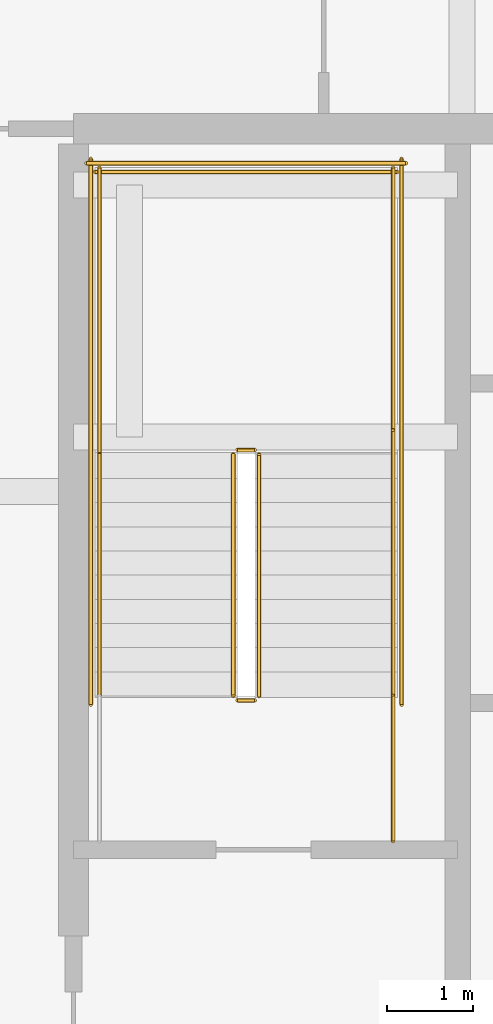
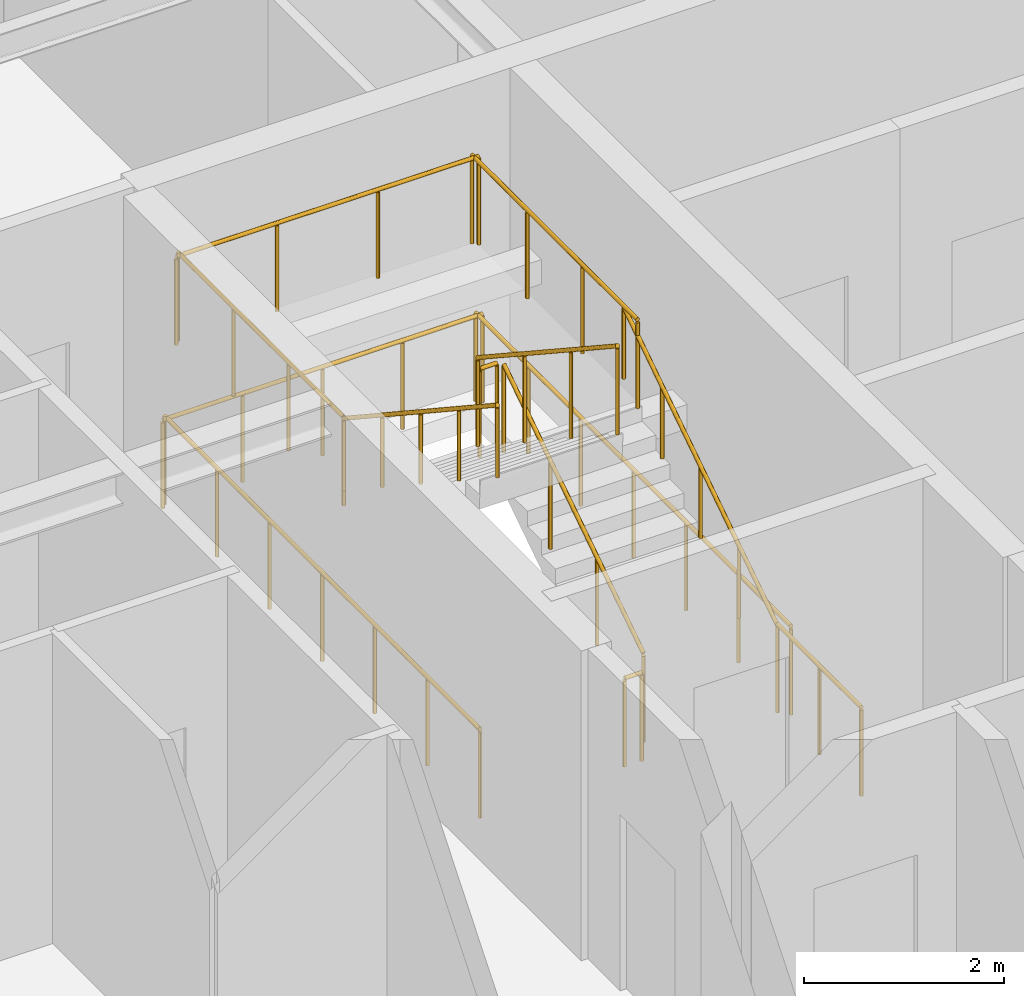
# One storey, part 34 of 37: 13 railings.
"""IFC4 building model written with IfcOpenShell, lengths in metres."""

from ifc_helpers import new_model, si_unit, direction, frame, origin, origin_2d, place, context, subcontext, project, spatial, circle, extrude, material, type_object, element, save


model = new_model("IFC4")

# Units and contexts
model_context = context("Model", 3, precision=1e-05, world=origin(), true_north=direction((0.0, 1.0)))
body_context = subcontext(model_context, "Body", "Model", "MODEL_VIEW")
ifc_project = project(units=[si_unit("LENGTHUNIT", "METRE"), si_unit("AREAUNIT", "SQUARE_METRE"), si_unit("VOLUMEUNIT", "CUBIC_METRE"), si_unit("PLANEANGLEUNIT", "RADIAN"), si_unit("MASSUNIT", "GRAM", prefix="KILO")], contexts=[model_context])

# Site, building, storey
site_placement = place(None, origin())
site = spatial("IfcSite", under=ifc_project, at=site_placement, CompositionType="ELEMENT")
building_placement = place(site_placement, origin())
building = spatial("IfcBuilding", under=site, at=building_placement, Name="Serunith Strait Residences", CompositionType="ELEMENT")
storey_placement = place(building_placement, frame((0.0, 0.0, 317.75)))
storey = spatial("IfcBuildingStorey", under=building, at=storey_placement, Name="L79", CompositionType="ELEMENT", Elevation=317.75)

# Railings
ifc_material = material(Name="Brushed stainless steel 316L", Category="steel")
railing_type_1 = type_object("IfcRailingType", Name="RLG-STAIR-GUARD", PredefinedType="BALUSTRADE", material=ifc_material)
railing_1_placement = place(storey_placement, frame((25.550048828125, 27.030029296875, 0.18408203125)))
element("IfcRailing", 1, at=railing_1_placement, inside=storey, type_object=railing_type_1, Name="L79 ST-1 stair guard 1", PredefinedType="BALUSTRADE", context=body_context, shape_type="SweptSolid", body=[
    extrude(circle(Radius=0.02392578125, at=origin_2d()), frame((0.0, 0.001708984375, 1.0771484375), z_axis=(0.0, 0.835597507184, 0.549342157483), x_axis=(-1.0, 0.0, 0.0)), (0.0, 0.0, 1.0), 3.346923828125),
    extrude(circle(Radius=0.02099609375, at=origin_2d()), origin(), (0.0, 0.0, 1.0), 1.050048828125),
    extrude(circle(Radius=0.02099609375, at=origin_2d()), frame((0.0, 0.933349609375, 0.613525390625)), (0.0, 0.0, 1.0), 1.050048828125),
    extrude(circle(Radius=0.02099609375, at=origin_2d()), frame((0.0, 1.86669921875, 1.227294921875)), (0.0, 0.0, 1.0), 1.050048828125),
    extrude(circle(Radius=0.02099609375, at=origin_2d()), frame((0.0, 2.800048828125, 1.8408203125)), (0.0, 0.0, 1.0), 1.050048828125),
])
railing_2_placement = place(storey_placement, frame((25.5, 29.8798828125, 2.02490234375)))
element("IfcRailing", 2, at=railing_2_placement, inside=storey, type_object=railing_type_1, Name="L79 ST-1 stair guard 2", PredefinedType="BALUSTRADE", context=body_context, shape_type="SweptSolid", body=[
    extrude(circle(Radius=0.02392578125, at=origin_2d()), frame((-0.001953125, 0.0, 1.076171875), z_axis=(-1.0, 0.0, 0.0), x_axis=(0.0, -1.0, 0.0)), (0.0, 0.0, 1.0), 0.196044921875),
    extrude(circle(Radius=0.02099609375, at=origin_2d()), origin(), (0.0, 0.0, 1.0), 1.050048828125),
    extrude(circle(Radius=0.02099609375, at=origin_2d()), frame((-0.199951171875, 0.0, 0.0)), (0.0, 0.0, 1.0), 1.050048828125),
])
for number, where, name in (
    (3, (27.10009765625, 29.830078125, 2.02490234375), "L79 ST-1 stair guard 3"),
    (4, (23.699951171875, 29.830078125, 2.02490234375), "L79 ST-1 stair guard 4"),
):
    element("IfcRailing", number, at=place(storey_placement, frame(where)), inside=storey, type_object=railing_type_1, Name=name, PredefinedType="BALUSTRADE", context=body_context, shape_type="SweptSolid", body=[
        extrude(circle(Radius=0.02392578125, at=origin_2d()), frame((0.0, 0.001953125, 1.076171875), z_axis=(0.0, 1.0, 0.0), x_axis=(-1.0, 0.0, 0.0)), (0.0, 0.0, 1.0), 3.31591796875),
        extrude(circle(Radius=0.02099609375, at=origin_2d()), origin(), (0.0, 0.0, 1.0), 1.050048828125),
        extrude(circle(Radius=0.02099609375, at=origin_2d()), frame((0.0, 1.106689453125, 0.0)), (0.0, 0.0, 1.0), 1.050048828125),
        extrude(circle(Radius=0.02099609375, at=origin_2d()), frame((0.0, 2.213134765625, 0.0)), (0.0, 0.0, 1.0), 1.050048828125),
        extrude(circle(Radius=0.02099609375, at=origin_2d()), frame((0.0, 3.31982421875, 0.0)), (0.0, 0.0, 1.0), 1.050048828125),
    ])
railing_3_placement = place(storey_placement, frame((27.14990234375, 33.10009765625, 2.02490234375)))
element("IfcRailing", 5, at=railing_3_placement, inside=storey, type_object=railing_type_1, Name="L79 ST-1 stair guard 5", PredefinedType="BALUSTRADE", context=body_context, shape_type="SweptSolid", body=[
    extrude(circle(Radius=0.02392578125, at=origin_2d()), frame((-0.001953125, 0.0, 1.076171875), z_axis=(-1.0, 0.0, 0.0), x_axis=(0.0, -1.0, 0.0)), (0.0, 0.0, 1.0), 3.49609375),
    extrude(circle(Radius=0.02099609375, at=origin_2d()), origin(), (0.0, 0.0, 1.0), 1.050048828125),
    extrude(circle(Radius=0.02099609375, at=origin_2d()), frame((-1.166748046875, 0.0, 0.0)), (0.0, 0.0, 1.0), 1.050048828125),
    extrude(circle(Radius=0.02099609375, at=origin_2d()), frame((-2.333251953125, 0.0, 0.0)), (0.0, 0.0, 1.0), 1.050048828125),
    extrude(circle(Radius=0.02099609375, at=origin_2d()), frame((-3.5, 0.0, 0.0)), (0.0, 0.0, 1.0), 1.050048828125),
])
railing_4_placement = place(storey_placement, frame((25.25, 29.830078125, 2.208984375)))
element("IfcRailing", 6, at=railing_4_placement, inside=storey, type_object=railing_type_1, Name="L79 ST-1 stair guard 6", PredefinedType="BALUSTRADE", context=body_context, shape_type="SweptSolid", body=[
    extrude(circle(Radius=0.02392578125, at=origin_2d()), frame((0.0, -0.001708984375, 1.0771484375), z_axis=(0.0, -0.83556406348, 0.549393024911), x_axis=(1.0, 0.0, 0.0)), (0.0, 0.0, 1.0), 3.34716796875),
    extrude(circle(Radius=0.02099609375, at=origin_2d()), origin(), (0.0, 0.0, 1.0), 1.050048828125),
    extrude(circle(Radius=0.02099609375, at=origin_2d()), frame((0.0, -0.933349609375, 0.61376953125)), (0.0, 0.0, 1.0), 1.050048828125),
    extrude(circle(Radius=0.02099609375, at=origin_2d()), frame((0.0, -1.86669921875, 1.227294921875)), (0.0, 0.0, 1.0), 1.050048828125),
    extrude(circle(Radius=0.02099609375, at=origin_2d()), frame((0.0, -2.800048828125, 1.841064453125)), (0.0, 0.0, 1.0), 1.050048828125),
])
railing_5_placement = place(storey_placement, frame((25.5, 26.97998046875, 0.0)))
element("IfcRailing", 7, at=railing_5_placement, inside=storey, type_object=railing_type_1, Name="L79 ST-1 stair guard 7", PredefinedType="BALUSTRADE", context=body_context, shape_type="SweptSolid", body=[
    extrude(circle(Radius=0.02392578125, at=origin_2d()), frame((-0.001953125, 0.0, 1.076171875), z_axis=(-1.0, 0.0, 0.0), x_axis=(0.0, -1.0, 0.0)), (0.0, 0.0, 1.0), 0.196044921875),
    extrude(circle(Radius=0.02099609375, at=origin_2d()), origin(), (0.0, 0.0, 1.0), 1.050048828125),
    extrude(circle(Radius=0.02099609375, at=origin_2d()), frame((-0.199951171875, 0.0, 0.0)), (0.0, 0.0, 1.0), 1.050048828125),
])
railing_6_placement = place(storey_placement, frame((27.10009765625, 25.35009765625, 0.0)))
element("IfcRailing", 8, at=railing_6_placement, inside=storey, type_object=railing_type_1, Name="L79 ST-1 stair guard 8", PredefinedType="BALUSTRADE", context=body_context, shape_type="SweptSolid", body=[
    extrude(circle(Radius=0.02392578125, at=origin_2d()), frame((0.0, 0.001953125, 1.076171875), z_axis=(0.0, 1.0, 0.0), x_axis=(-1.0, 0.0, 0.0)), (0.0, 0.0, 1.0), 1.676025390625),
    extrude(circle(Radius=0.02099609375, at=origin_2d()), origin(), (0.0, 0.0, 1.0), 1.050048828125),
    extrude(circle(Radius=0.02099609375, at=origin_2d()), frame((0.0, 0.83984375, 0.0)), (0.0, 0.0, 1.0), 1.050048828125),
    extrude(circle(Radius=0.02099609375, at=origin_2d()), frame((0.0, 1.679931640625, 0.0)), (0.0, 0.0, 1.0), 1.050048828125),
])
for number, where, name in (
    (9, (27.199951171875, 26.929931640625, 0.0), "L79 ST-1 stair guard 10"),
    (10, (23.60009765625, 26.929931640625, 0.0), "L79 ST-1 stair guard 11"),
):
    element("IfcRailing", number, at=place(storey_placement, frame(where)), inside=storey, type_object=railing_type_1, Name=name, PredefinedType="BALUSTRADE", context=body_context, shape_type="SweptSolid", body=[
        extrude(circle(Radius=0.02392578125, at=origin_2d()), frame((0.0, 0.001953125, 1.076171875), z_axis=(0.0, 1.0, 0.0), x_axis=(-1.0, 0.0, 0.0)), (0.0, 0.0, 1.0), 6.316162109375),
        extrude(circle(Radius=0.02099609375, at=origin_2d()), origin(), (0.0, 0.0, 1.0), 1.050048828125),
        extrude(circle(Radius=0.02099609375, at=origin_2d()), frame((0.0, 1.05322265625, 0.0)), (0.0, 0.0, 1.0), 1.050048828125),
        extrude(circle(Radius=0.02099609375, at=origin_2d()), frame((0.0, 2.106689453125, 0.0)), (0.0, 0.0, 1.0), 1.050048828125),
        extrude(circle(Radius=0.02099609375, at=origin_2d()), frame((0.0, 3.16015625, 0.0)), (0.0, 0.0, 1.0), 1.050048828125),
        extrude(circle(Radius=0.02099609375, at=origin_2d()), frame((0.0, 4.21337890625, 0.0)), (0.0, 0.0, 1.0), 1.050048828125),
        extrude(circle(Radius=0.02099609375, at=origin_2d()), frame((0.0, 5.2666015625, 0.0)), (0.0, 0.0, 1.0), 1.050048828125),
        extrude(circle(Radius=0.02099609375, at=origin_2d()), frame((0.0, 6.320068359375, 0.0)), (0.0, 0.0, 1.0), 1.050048828125),
    ])
railing_7_placement = place(storey_placement, frame((27.25, 33.199951171875, 0.0)))
element("IfcRailing", 11, at=railing_7_placement, inside=storey, type_object=railing_type_1, Name="L79 ST-1 stair guard 12", PredefinedType="BALUSTRADE", context=body_context, shape_type="SweptSolid", body=[
    extrude(circle(Radius=0.02392578125, at=origin_2d()), frame((-0.001953125, 0.0, 1.076171875), z_axis=(-1.0, 0.0, 0.0), x_axis=(0.0, -1.0, 0.0)), (0.0, 0.0, 1.0), 3.696044921875),
    extrude(circle(Radius=0.02099609375, at=origin_2d()), origin(), (0.0, 0.0, 1.0), 1.050048828125),
    extrude(circle(Radius=0.02099609375, at=origin_2d()), frame((-0.925048828125, 0.0, 0.0)), (0.0, 0.0, 1.0), 1.050048828125),
    extrude(circle(Radius=0.02099609375, at=origin_2d()), frame((-1.85009765625, 0.0, 0.0)), (0.0, 0.0, 1.0), 1.050048828125),
    extrude(circle(Radius=0.02099609375, at=origin_2d()), frame((-2.77490234375, 0.0, 0.0)), (0.0, 0.0, 1.0), 1.050048828125),
    extrude(circle(Radius=0.02099609375, at=origin_2d()), frame((-3.699951171875, 0.0, 0.0)), (0.0, 0.0, 1.0), 1.050048828125),
])
railing_type_2 = type_object("IfcRailingType", Name="RLG-STAIR-HR", PredefinedType="HANDRAIL", material=ifc_material)
railing_8_placement = place(storey_placement, frame((27.10009765625, 27.030029296875, 0.18408203125)))
element("IfcRailing", 12, at=railing_8_placement, inside=storey, type_object=railing_type_2, Name="L79 ST-1 stair handrail 1", PredefinedType="HANDRAIL", context=body_context, shape_type="SweptSolid", body=[
    extrude(circle(Radius=0.02392578125, at=origin_2d()), frame((0.0, 0.001708984375, 0.876953125), z_axis=(0.0, 0.83496096917, 0.550309167616), x_axis=(-1.0, 0.0, 0.0)), (0.0, 0.0, 1.0), 3.684814453125),
    extrude(circle(Radius=0.02099609375, at=origin_2d()), origin(), (0.0, 0.0, 1.0), 0.849853515625),
    extrude(circle(Radius=0.02099609375, at=origin_2d()), frame((0.0, 0.77001953125, 0.507568359375)), (0.0, 0.0, 1.0), 0.849853515625),
    extrude(circle(Radius=0.02099609375, at=origin_2d()), frame((0.0, 1.5400390625, 1.01513671875)), (0.0, 0.0, 1.0), 0.849853515625),
    extrude(circle(Radius=0.02099609375, at=origin_2d()), frame((0.0, 2.31005859375, 1.5224609375)), (0.0, 0.0, 1.0), 0.849853515625),
    extrude(circle(Radius=0.02099609375, at=origin_2d()), frame((0.0, 3.080078125, 2.030029296875)), (0.0, 0.0, 1.0), 0.849853515625),
])
railing_9_placement = place(storey_placement, frame((23.699951171875, 29.830078125, 2.208984375)))
element("IfcRailing", 13, at=railing_9_placement, inside=storey, type_object=railing_type_2, Name="L79 ST-1 stair handrail 2", PredefinedType="HANDRAIL", context=body_context, shape_type="SweptSolid", body=[
    extrude(circle(Radius=0.02392578125, at=origin_2d()), frame((0.0, -0.001708984375, 0.876953125), z_axis=(0.0, -0.83496096917, 0.550309167616), x_axis=(1.0, 0.0, 0.0)), (0.0, 0.0, 1.0), 3.684814453125),
    extrude(circle(Radius=0.02099609375, at=origin_2d()), origin(), (0.0, 0.0, 1.0), 0.849853515625),
    extrude(circle(Radius=0.02099609375, at=origin_2d()), frame((0.0, -0.77001953125, 0.507568359375)), (0.0, 0.0, 1.0), 0.849853515625),
    extrude(circle(Radius=0.02099609375, at=origin_2d()), frame((0.0, -1.5400390625, 1.01513671875)), (0.0, 0.0, 1.0), 0.849853515625),
    extrude(circle(Radius=0.02099609375, at=origin_2d()), frame((0.0, -2.31005859375, 1.5224609375)), (0.0, 0.0, 1.0), 0.849853515625),
    extrude(circle(Radius=0.02099609375, at=origin_2d()), frame((0.0, -3.080078125, 2.030029296875)), (0.0, 0.0, 1.0), 0.849853515625),
])

save(model, "model.ifc")
